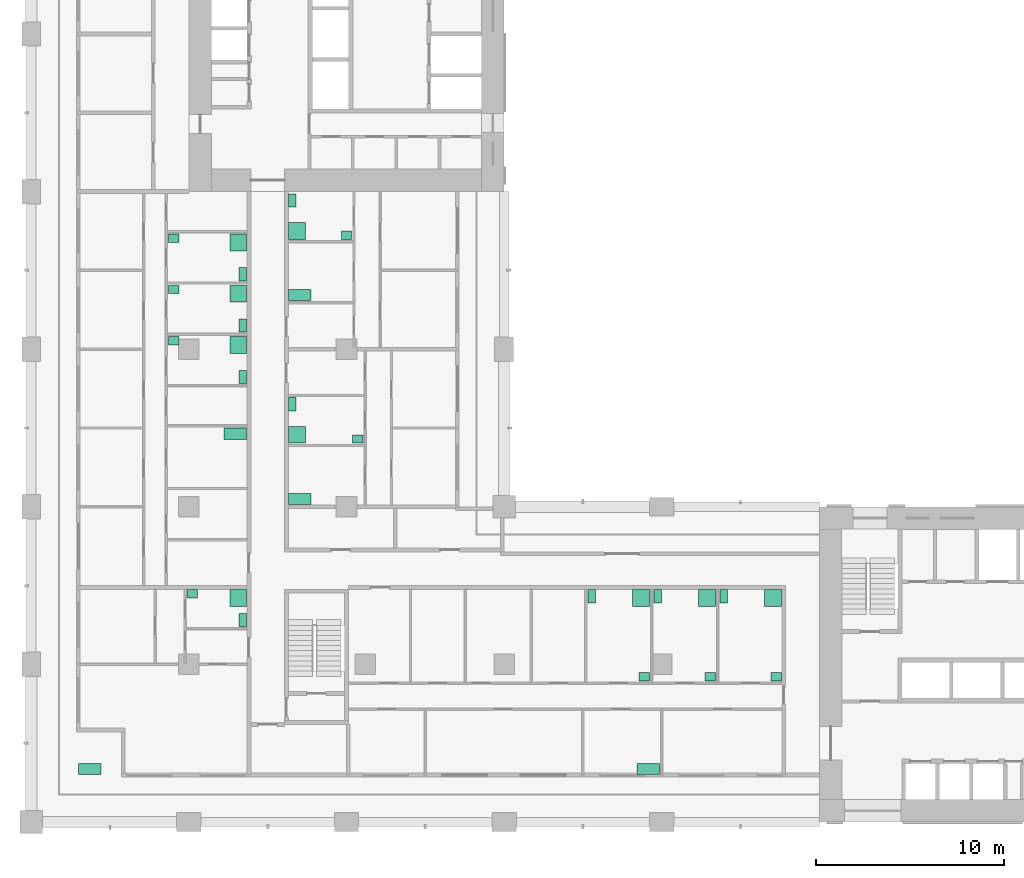
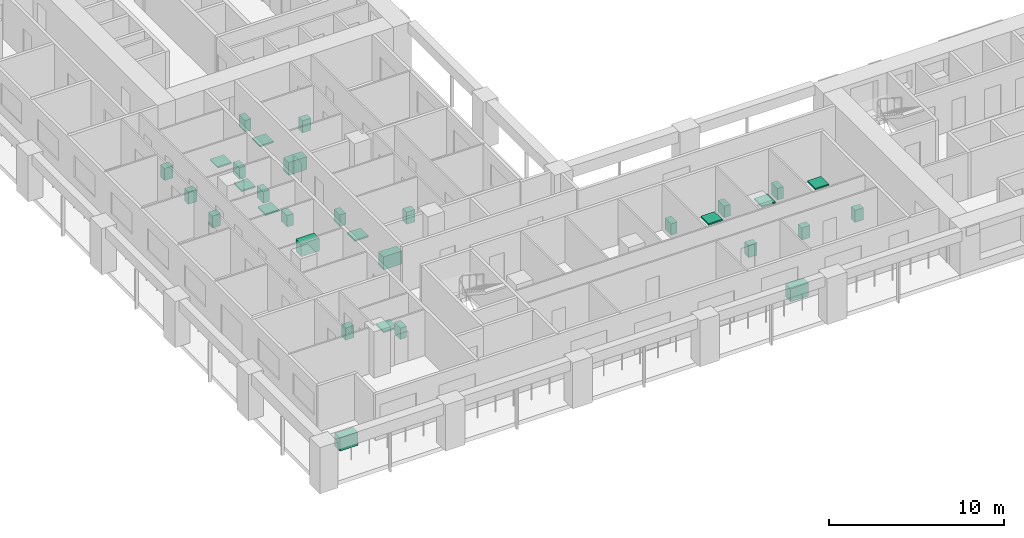
# One storey, part 17 of 17: 32 sanitary terminals.
"""IFC4 building model written with IfcOpenShell, lengths in metres."""

from ifc_helpers import new_model, si_unit, direction, frame, origin, origin_2d, place, context, subcontext, project, spatial, rectangle, extrude, material, element, save


model = new_model("IFC4")

# Units and contexts
model_context = context("Model", 3, precision=1e-05, world=origin(), true_north=direction((0.0, 1.0)))
body_context = subcontext(model_context, "Body", "Model", "MODEL_VIEW")
ifc_project = project(units=[si_unit("LENGTHUNIT", "METRE"), si_unit("AREAUNIT", "SQUARE_METRE"), si_unit("VOLUMEUNIT", "CUBIC_METRE"), si_unit("PLANEANGLEUNIT", "RADIAN"), si_unit("MASSUNIT", "GRAM", prefix="KILO")], contexts=[model_context])

# Site, building, storey
site_placement = place(None, origin())
site = spatial("IfcSite", under=ifc_project, at=site_placement, CompositionType="ELEMENT")
building_placement = place(site_placement, origin())
building = spatial("IfcBuilding", under=site, at=building_placement, Name="Vermilion Gate Residences", CompositionType="ELEMENT")
storey_placement = place(building_placement, frame((0.0, 0.0, 91.699951171875)))
storey = spatial("IfcBuildingStorey", under=building, at=storey_placement, Name="L22", CompositionType="ELEMENT", Elevation=91.699951171875)

# Sanitary terminals
ifc_material_1 = material(Name="Stainless steel", Category="steel")
sanitary_terminal_1_placement = place(storey_placement, frame((3.1201171875, 11.219970703125, 0.0), z_axis=(0.0, 0.0, 1.0), x_axis=(1.0, 0.0, 0.0)))
element("IfcSanitaryTerminal", 1, at=sanitary_terminal_1_placement, inside=storey, material=ifc_material_1, Name="Kitchen sink", PredefinedType="SINK", context=body_context, shape_type="SweptSolid", body=[
    extrude(rectangle(XDim=1.199951171875, YDim=0.60009765625, at=origin_2d()), origin(), (0.0, 0.0, 1.0), 0.89990234375),
])
ifc_material_2 = material(Name="Vitreous china")
sanitary_terminal_2_placement = place(storey_placement, frame((11.030029296875, 20.330078125, 0.0), z_axis=(0.0, 0.0, 1.0), x_axis=(1.0, 0.0, 0.0)))
element("IfcSanitaryTerminal", 2, at=sanitary_terminal_2_placement, inside=storey, material=ifc_material_2, Name="Shower tray", PredefinedType="SHOWER", context=body_context, shape_type="SweptSolid", body=[
    extrude(rectangle(XDim=0.89990234375, YDim=0.89990234375, at=origin_2d()), origin(), (0.0, 0.0, 1.0), 0.10009765625),
])
sanitary_terminal_3_placement = place(storey_placement, frame((11.280029296875, 19.169921875, 0.0), z_axis=(0.0, 0.0, 1.0), x_axis=(1.0, 0.0, 0.0)))
element("IfcSanitaryTerminal", 3, at=sanitary_terminal_3_placement, inside=storey, material=ifc_material_2, Name="Toilet", PredefinedType="TOILETPAN", context=body_context, shape_type="SweptSolid", body=[
    extrude(rectangle(XDim=0.39990234375, YDim=0.699951171875, at=origin_2d()), origin(), (0.0, 0.0, 1.0), 0.800048828125),
])
sanitary_terminal_4_placement = place(storey_placement, frame((8.594970703125, 20.554931640625, 0.0), z_axis=(0.0, 0.0, 1.0), x_axis=(1.0, 0.0, 0.0)))
element("IfcSanitaryTerminal", 4, at=sanitary_terminal_4_placement, inside=storey, material=ifc_material_2, Name="Wash basin", PredefinedType="WASHHANDBASIN", context=body_context, shape_type="SweptSolid", body=[
    extrude(rectangle(XDim=0.550048828125, YDim=0.449951171875, at=origin_2d()), origin(), (0.0, 0.0, 1.0), 0.85009765625),
])
sanitary_terminal_5_placement = place(storey_placement, frame((32.8798828125, 11.219970703125, 0.0), z_axis=(0.0, 0.0, 1.0), x_axis=(1.0, 0.0, 0.0)))
element("IfcSanitaryTerminal", 5, at=sanitary_terminal_5_placement, inside=storey, material=ifc_material_1, Name="Kitchen sink", PredefinedType="SINK", context=body_context, shape_type="SweptSolid", body=[
    extrude(rectangle(XDim=1.199951171875, YDim=0.60009765625, at=origin_2d()), origin(), (0.0, 0.0, 1.0), 0.89990234375),
])
sanitary_terminal_6_placement = place(storey_placement, frame((32.501953125, 20.330078125, 0.0), z_axis=(0.0, 0.0, 1.0), x_axis=(1.0, 0.0, 0.0)))
element("IfcSanitaryTerminal", 6, at=sanitary_terminal_6_placement, inside=storey, material=ifc_material_2, Name="Shower tray", PredefinedType="SHOWER", context=body_context, shape_type="SweptSolid", body=[
    extrude(rectangle(XDim=0.89990234375, YDim=0.89990234375, at=origin_2d()), origin(), (0.0, 0.0, 1.0), 0.10009765625),
])
sanitary_terminal_7_placement = place(storey_placement, frame((29.876953125, 20.429931640625, 0.0), z_axis=(0.0, 0.0, 1.0), x_axis=(1.0, 0.0, 0.0)))
element("IfcSanitaryTerminal", 7, at=sanitary_terminal_7_placement, inside=storey, material=ifc_material_2, Name="Toilet", PredefinedType="TOILETPAN", context=body_context, shape_type="SweptSolid", body=[
    extrude(rectangle(XDim=0.39990234375, YDim=0.699951171875, at=origin_2d()), origin(), (0.0, 0.0, 1.0), 0.800048828125),
])
sanitary_terminal_8_placement = place(storey_placement, frame((32.677001953125, 16.14501953125, 0.0), z_axis=(0.0, 0.0, 1.0), x_axis=(1.0, 0.0, 0.0)))
element("IfcSanitaryTerminal", 8, at=sanitary_terminal_8_placement, inside=storey, material=ifc_material_2, Name="Wash basin", PredefinedType="WASHHANDBASIN", context=body_context, shape_type="SweptSolid", body=[
    extrude(rectangle(XDim=0.550048828125, YDim=0.449951171875, at=origin_2d()), origin(), (0.0, 0.0, 1.0), 0.85009765625),
])
sanitary_terminal_9_placement = place(storey_placement, frame((36.01611328125, 20.330078125, 0.0), z_axis=(0.0, 0.0, 1.0), x_axis=(1.0, 0.0, 0.0)))
element("IfcSanitaryTerminal", 9, at=sanitary_terminal_9_placement, inside=storey, material=ifc_material_2, Name="Shower tray", PredefinedType="SHOWER", context=body_context, shape_type="SweptSolid", body=[
    extrude(rectangle(XDim=0.89990234375, YDim=0.89990234375, at=origin_2d()), origin(), (0.0, 0.0, 1.0), 0.10009765625),
])
sanitary_terminal_10_placement = place(storey_placement, frame((33.39208984375, 20.429931640625, 0.0), z_axis=(0.0, 0.0, 1.0), x_axis=(1.0, 0.0, 0.0)))
element("IfcSanitaryTerminal", 10, at=sanitary_terminal_10_placement, inside=storey, material=ifc_material_2, Name="Toilet", PredefinedType="TOILETPAN", context=body_context, shape_type="SweptSolid", body=[
    extrude(rectangle(XDim=0.39990234375, YDim=0.699951171875, at=origin_2d()), origin(), (0.0, 0.0, 1.0), 0.800048828125),
])
sanitary_terminal_11_placement = place(storey_placement, frame((36.19091796875, 16.14501953125, 0.0), z_axis=(0.0, 0.0, 1.0), x_axis=(1.0, 0.0, 0.0)))
element("IfcSanitaryTerminal", 11, at=sanitary_terminal_11_placement, inside=storey, material=ifc_material_2, Name="Wash basin", PredefinedType="WASHHANDBASIN", context=body_context, shape_type="SweptSolid", body=[
    extrude(rectangle(XDim=0.550048828125, YDim=0.449951171875, at=origin_2d()), origin(), (0.0, 0.0, 1.0), 0.85009765625),
])
sanitary_terminal_12_placement = place(storey_placement, frame((39.530029296875, 20.330078125, 0.0), z_axis=(0.0, 0.0, 1.0), x_axis=(1.0, 0.0, 0.0)))
element("IfcSanitaryTerminal", 12, at=sanitary_terminal_12_placement, inside=storey, material=ifc_material_2, Name="Shower tray", PredefinedType="SHOWER", context=body_context, shape_type="SweptSolid", body=[
    extrude(rectangle(XDim=0.89990234375, YDim=0.89990234375, at=origin_2d()), origin(), (0.0, 0.0, 1.0), 0.10009765625),
])
sanitary_terminal_13_placement = place(storey_placement, frame((36.906005859375, 20.429931640625, 0.0), z_axis=(0.0, 0.0, 1.0), x_axis=(1.0, 0.0, 0.0)))
element("IfcSanitaryTerminal", 13, at=sanitary_terminal_13_placement, inside=storey, material=ifc_material_2, Name="Toilet", PredefinedType="TOILETPAN", context=body_context, shape_type="SweptSolid", body=[
    extrude(rectangle(XDim=0.39990234375, YDim=0.699951171875, at=origin_2d()), origin(), (0.0, 0.0, 1.0), 0.800048828125),
])
sanitary_terminal_14_placement = place(storey_placement, frame((39.705078125, 16.14501953125, 0.0), z_axis=(0.0, 0.0, 1.0), x_axis=(1.0, 0.0, 0.0)))
element("IfcSanitaryTerminal", 14, at=sanitary_terminal_14_placement, inside=storey, material=ifc_material_2, Name="Wash basin", PredefinedType="WASHHANDBASIN", context=body_context, shape_type="SweptSolid", body=[
    extrude(rectangle(XDim=0.550048828125, YDim=0.449951171875, at=origin_2d()), origin(), (0.0, 0.0, 1.0), 0.85009765625),
])
sanitary_terminal_15_placement = place(storey_placement, frame((10.8798828125, 29.093017578125, 0.0), z_axis=(0.0, 0.0, 1.0), x_axis=(1.0, 0.0, 0.0)))
element("IfcSanitaryTerminal", 15, at=sanitary_terminal_15_placement, inside=storey, material=ifc_material_1, Name="Kitchen sink", PredefinedType="SINK", context=body_context, shape_type="SweptSolid", body=[
    extrude(rectangle(XDim=1.199951171875, YDim=0.60009765625, at=origin_2d()), origin(), (0.0, 0.0, 1.0), 0.89990234375),
])
sanitary_terminal_16_placement = place(storey_placement, frame((11.030029296875, 33.818115234375, 0.0), z_axis=(0.0, 0.0, 1.0), x_axis=(1.0, 0.0, 0.0)))
element("IfcSanitaryTerminal", 16, at=sanitary_terminal_16_placement, inside=storey, material=ifc_material_2, Name="Shower tray", PredefinedType="SHOWER", context=body_context, shape_type="SweptSolid", body=[
    extrude(rectangle(XDim=0.89990234375, YDim=0.89990234375, at=origin_2d()), origin(), (0.0, 0.0, 1.0), 0.10009765625),
])
sanitary_terminal_17_placement = place(storey_placement, frame((11.280029296875, 32.1201171875, 0.0), z_axis=(0.0, 0.0, 1.0), x_axis=(1.0, 0.0, 0.0)))
element("IfcSanitaryTerminal", 17, at=sanitary_terminal_17_placement, inside=storey, material=ifc_material_2, Name="Toilet", PredefinedType="TOILETPAN", context=body_context, shape_type="SweptSolid", body=[
    extrude(rectangle(XDim=0.39990234375, YDim=0.699951171875, at=origin_2d()), origin(), (0.0, 0.0, 1.0), 0.800048828125),
])
sanitary_terminal_18_placement = place(storey_placement, frame((7.594970703125, 34.04296875, 0.0), z_axis=(0.0, 0.0, 1.0), x_axis=(1.0, 0.0, 0.0)))
element("IfcSanitaryTerminal", 18, at=sanitary_terminal_18_placement, inside=storey, material=ifc_material_2, Name="Wash basin", PredefinedType="WASHHANDBASIN", context=body_context, shape_type="SweptSolid", body=[
    extrude(rectangle(XDim=0.550048828125, YDim=0.449951171875, at=origin_2d()), origin(), (0.0, 0.0, 1.0), 0.85009765625),
])
sanitary_terminal_19_placement = place(storey_placement, frame((11.030029296875, 36.554931640625, 0.0), z_axis=(0.0, 0.0, 1.0), x_axis=(1.0, 0.0, 0.0)))
element("IfcSanitaryTerminal", 19, at=sanitary_terminal_19_placement, inside=storey, material=ifc_material_2, Name="Shower tray", PredefinedType="SHOWER", context=body_context, shape_type="SweptSolid", body=[
    extrude(rectangle(XDim=0.89990234375, YDim=0.89990234375, at=origin_2d()), origin(), (0.0, 0.0, 1.0), 0.10009765625),
])
sanitary_terminal_20_placement = place(storey_placement, frame((11.280029296875, 34.85791015625, 0.0), z_axis=(0.0, 0.0, 1.0), x_axis=(1.0, 0.0, 0.0)))
element("IfcSanitaryTerminal", 20, at=sanitary_terminal_20_placement, inside=storey, material=ifc_material_2, Name="Toilet", PredefinedType="TOILETPAN", context=body_context, shape_type="SweptSolid", body=[
    extrude(rectangle(XDim=0.39990234375, YDim=0.699951171875, at=origin_2d()), origin(), (0.0, 0.0, 1.0), 0.800048828125),
])
sanitary_terminal_21_placement = place(storey_placement, frame((7.594970703125, 36.780029296875, 0.0), z_axis=(0.0, 0.0, 1.0), x_axis=(1.0, 0.0, 0.0)))
element("IfcSanitaryTerminal", 21, at=sanitary_terminal_21_placement, inside=storey, material=ifc_material_2, Name="Wash basin", PredefinedType="WASHHANDBASIN", context=body_context, shape_type="SweptSolid", body=[
    extrude(rectangle(XDim=0.550048828125, YDim=0.449951171875, at=origin_2d()), origin(), (0.0, 0.0, 1.0), 0.85009765625),
])
sanitary_terminal_22_placement = place(storey_placement, frame((11.030029296875, 39.29296875, 0.0), z_axis=(0.0, 0.0, 1.0), x_axis=(1.0, 0.0, 0.0)))
element("IfcSanitaryTerminal", 22, at=sanitary_terminal_22_placement, inside=storey, material=ifc_material_2, Name="Shower tray", PredefinedType="SHOWER", context=body_context, shape_type="SweptSolid", body=[
    extrude(rectangle(XDim=0.89990234375, YDim=0.89990234375, at=origin_2d()), origin(), (0.0, 0.0, 1.0), 0.10009765625),
])
sanitary_terminal_23_placement = place(storey_placement, frame((11.280029296875, 37.594970703125, 0.0), z_axis=(0.0, 0.0, 1.0), x_axis=(1.0, 0.0, 0.0)))
element("IfcSanitaryTerminal", 23, at=sanitary_terminal_23_placement, inside=storey, material=ifc_material_2, Name="Toilet", PredefinedType="TOILETPAN", context=body_context, shape_type="SweptSolid", body=[
    extrude(rectangle(XDim=0.39990234375, YDim=0.699951171875, at=origin_2d()), origin(), (0.0, 0.0, 1.0), 0.800048828125),
])
sanitary_terminal_24_placement = place(storey_placement, frame((7.594970703125, 39.51806640625, 0.0), z_axis=(0.0, 0.0, 1.0), x_axis=(1.0, 0.0, 0.0)))
element("IfcSanitaryTerminal", 24, at=sanitary_terminal_24_placement, inside=storey, material=ifc_material_2, Name="Wash basin", PredefinedType="WASHHANDBASIN", context=body_context, shape_type="SweptSolid", body=[
    extrude(rectangle(XDim=0.550048828125, YDim=0.449951171875, at=origin_2d()), origin(), (0.0, 0.0, 1.0), 0.85009765625),
])
sanitary_terminal_25_placement = place(storey_placement, frame((14.320068359375, 25.6201171875, 0.0), z_axis=(0.0, 0.0, 1.0), x_axis=(1.0, 0.0, 0.0)))
element("IfcSanitaryTerminal", 25, at=sanitary_terminal_25_placement, inside=storey, material=ifc_material_1, Name="Kitchen sink", PredefinedType="SINK", context=body_context, shape_type="SweptSolid", body=[
    extrude(rectangle(XDim=1.199951171875, YDim=0.60009765625, at=origin_2d()), origin(), (0.0, 0.0, 1.0), 0.89990234375),
])
sanitary_terminal_26_placement = place(storey_placement, frame((14.169921875, 29.037109375, 0.0), z_axis=(0.0, 0.0, 1.0), x_axis=(1.0, 0.0, 0.0)))
element("IfcSanitaryTerminal", 26, at=sanitary_terminal_26_placement, inside=storey, material=ifc_material_2, Name="Shower tray", PredefinedType="SHOWER", context=body_context, shape_type="SweptSolid", body=[
    extrude(rectangle(XDim=0.89990234375, YDim=0.89990234375, at=origin_2d()), origin(), (0.0, 0.0, 1.0), 0.10009765625),
])
sanitary_terminal_27_placement = place(storey_placement, frame((13.919921875, 30.6630859375, 0.0), z_axis=(0.0, 0.0, 1.0), x_axis=(1.0, 0.0, 0.0)))
element("IfcSanitaryTerminal", 27, at=sanitary_terminal_27_placement, inside=storey, material=ifc_material_2, Name="Toilet", PredefinedType="TOILETPAN", context=body_context, shape_type="SweptSolid", body=[
    extrude(rectangle(XDim=0.39990234375, YDim=0.699951171875, at=origin_2d()), origin(), (0.0, 0.0, 1.0), 0.800048828125),
])
sanitary_terminal_28_placement = place(storey_placement, frame((17.405029296875, 28.81201171875, 0.0), z_axis=(0.0, 0.0, 1.0), x_axis=(1.0, 0.0, 0.0)))
element("IfcSanitaryTerminal", 28, at=sanitary_terminal_28_placement, inside=storey, material=ifc_material_2, Name="Wash basin", PredefinedType="WASHHANDBASIN", context=body_context, shape_type="SweptSolid", body=[
    extrude(rectangle(XDim=0.550048828125, YDim=0.449951171875, at=origin_2d()), origin(), (0.0, 0.0, 1.0), 0.85009765625),
])
sanitary_terminal_29_placement = place(storey_placement, frame((14.320068359375, 36.487060546875, 0.0), z_axis=(0.0, 0.0, 1.0), x_axis=(1.0, 0.0, 0.0)))
element("IfcSanitaryTerminal", 29, at=sanitary_terminal_29_placement, inside=storey, material=ifc_material_1, Name="Kitchen sink", PredefinedType="SINK", context=body_context, shape_type="SweptSolid", body=[
    extrude(rectangle(XDim=1.199951171875, YDim=0.60009765625, at=origin_2d()), origin(), (0.0, 0.0, 1.0), 0.89990234375),
])
sanitary_terminal_30_placement = place(storey_placement, frame((14.169921875, 39.903076171875, 0.0), z_axis=(0.0, 0.0, 1.0), x_axis=(1.0, 0.0, 0.0)))
element("IfcSanitaryTerminal", 30, at=sanitary_terminal_30_placement, inside=storey, material=ifc_material_2, Name="Shower tray", PredefinedType="SHOWER", context=body_context, shape_type="SweptSolid", body=[
    extrude(rectangle(XDim=0.89990234375, YDim=0.89990234375, at=origin_2d()), origin(), (0.0, 0.0, 1.0), 0.10009765625),
])
sanitary_terminal_31_placement = place(storey_placement, frame((13.919921875, 41.530029296875, 0.0), z_axis=(0.0, 0.0, 1.0), x_axis=(1.0, 0.0, 0.0)))
element("IfcSanitaryTerminal", 31, at=sanitary_terminal_31_placement, inside=storey, material=ifc_material_2, Name="Toilet", PredefinedType="TOILETPAN", context=body_context, shape_type="SweptSolid", body=[
    extrude(rectangle(XDim=0.39990234375, YDim=0.699951171875, at=origin_2d()), origin(), (0.0, 0.0, 1.0), 0.800048828125),
])
sanitary_terminal_32_placement = place(storey_placement, frame((16.804931640625, 39.677978515625, 0.0), z_axis=(0.0, 0.0, 1.0), x_axis=(1.0, 0.0, 0.0)))
element("IfcSanitaryTerminal", 32, at=sanitary_terminal_32_placement, inside=storey, material=ifc_material_2, Name="Wash basin", PredefinedType="WASHHANDBASIN", context=body_context, shape_type="SweptSolid", body=[
    extrude(rectangle(XDim=0.550048828125, YDim=0.449951171875, at=origin_2d()), origin(), (0.0, 0.0, 1.0), 0.85009765625),
])

save(model, "model.ifc")
